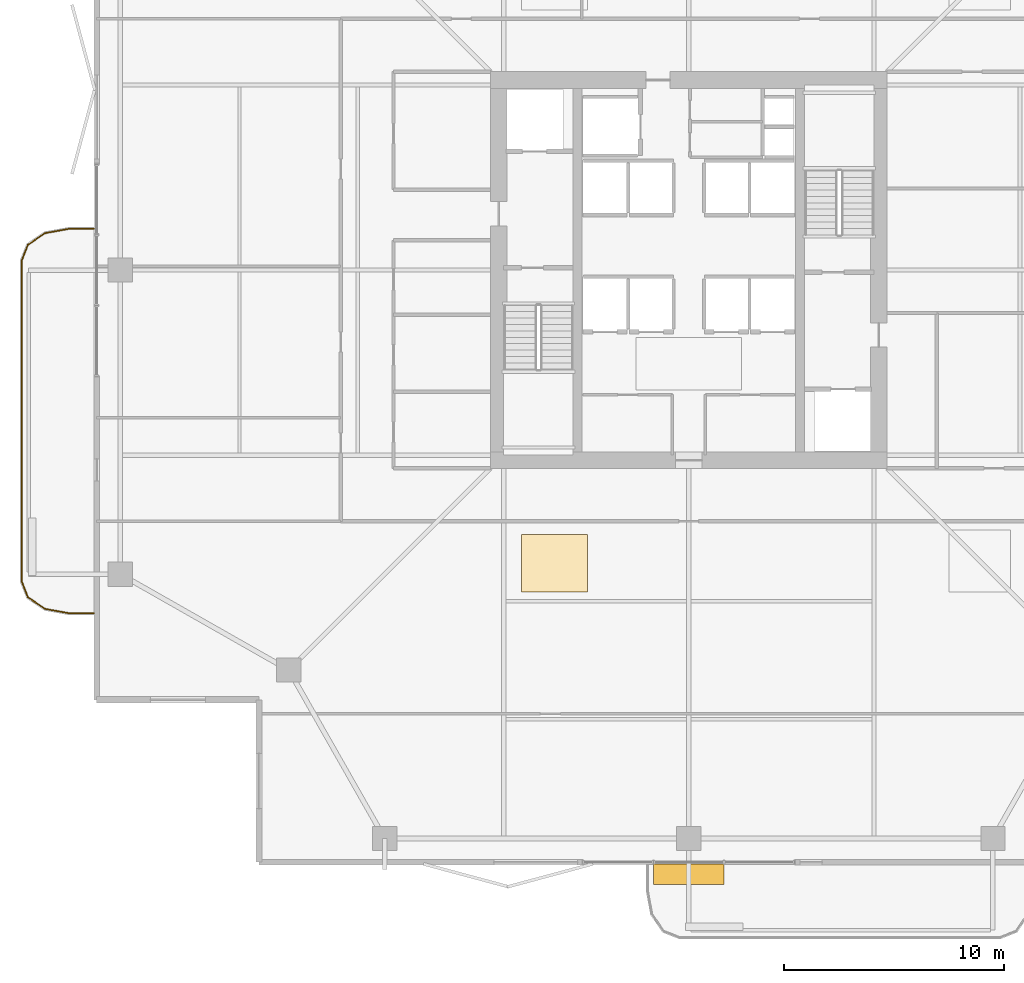
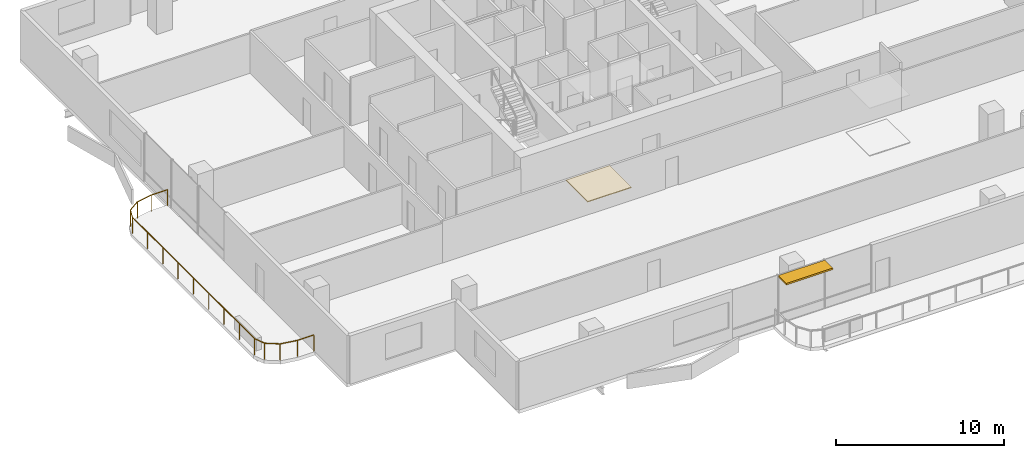
# One storey, part 21 of 24: 1 covering, 1 railing, 1 shading device.
"""IFC4 building model written with IfcOpenShell, lengths in metres."""

from ifc_helpers import new_model, si_unit, direction, frame, origin, origin_2d, place, context, subcontext, project, spatial, polyline, rectangle, outline, extrude, material, layer, layer_set, type_object, element, save


model = new_model("IFC4")

# Units and contexts
model_context = context("Model", 3, precision=1e-05, world=origin(), true_north=direction((0.0, 1.0)))
body_context = subcontext(model_context, "Body", "Model", "MODEL_VIEW")
ifc_project = project(units=[si_unit("LENGTHUNIT", "METRE"), si_unit("AREAUNIT", "SQUARE_METRE"), si_unit("VOLUMEUNIT", "CUBIC_METRE"), si_unit("PLANEANGLEUNIT", "RADIAN"), si_unit("MASSUNIT", "GRAM", prefix="KILO")], contexts=[model_context])

# Site, building, storey
site_placement = place(None, origin())
site = spatial("IfcSite", under=ifc_project, at=site_placement, CompositionType="ELEMENT")
building_placement = place(site_placement, origin())
building = spatial("IfcBuilding", under=site, at=building_placement, Name="Belovzor Exchange Tower", CompositionType="ELEMENT")
storey_placement = place(building_placement, frame((0.0, 0.0, 222.449951171875)))
storey = spatial("IfcBuildingStorey", under=building, at=storey_placement, Name="L55", CompositionType="ELEMENT", Elevation=222.449951171875)

# Railing
ifc_material_1 = material(Name="Stainless Steel and Laminated Safety Glass", Category="steel")
railing_type = type_object("IfcRailingType", Name="Laminated Glass & Stainless Steel Balcony Balustrade 1200", PredefinedType="BALUSTRADE", material=ifc_material_1)
railing_placement = place(storey_placement, frame((1.7900390625, 30.669921875, 0.0)))
element("IfcRailing", 1, at=railing_placement, inside=storey, type_object=railing_type, Name="GR-1 Balcony Balustrade L55 West", PredefinedType="BALUSTRADE", context=body_context, shape_type="SweptSolid", body=[
    extrude(rectangle(XDim=0.048095703125, YDim=0.048095703125, at=origin_2d()), frame((0.0, 0.0, 1.17578125), z_axis=(-1.0, 0.0, 0.0), x_axis=(0.0, -1.0, 0.0)), (0.0, 0.0, 1.0), 1.133056640625),
    extrude(rectangle(XDim=0.048095703125, YDim=0.048095703125, at=origin_2d()), frame((-1.133056640625, 0.0, 1.17578125), z_axis=(-0.983644145941, -0.180122719713, 0.0), x_axis=(0.180122719713, -0.983644145941, 0.0)), (0.0, 0.0, 1.0), 1.09375),
    extrude(rectangle(XDim=0.048095703125, YDim=0.048095703125, at=origin_2d()), frame((-2.208984375, -0.197021484375, 1.17578125), z_axis=(-0.826614792125, -0.562768145367, 0.0), x_axis=(0.562768145367, -0.826614792125, 0.0)), (0.0, 0.0, 1.0), 0.9326171875),
    extrude(rectangle(XDim=0.048095703125, YDim=0.048095703125, at=origin_2d()), frame((-2.97998046875, -0.721923828125, 1.17578125), z_axis=(-0.365612923861, -0.930766990125, 0.0), x_axis=(0.930766990125, -0.365612923861, 0.0)), (0.0, 0.0, 1.0), 0.765869140625),
    extrude(rectangle(XDim=0.048095703125, YDim=0.048095703125, at=origin_2d()), frame((-3.260009765625, -1.434814453125, 1.17578125), z_axis=(0.0, -1.0, 0.0), x_axis=(1.0, 0.0, 0.0)), (0.0, 0.0, 1.0), 14.570068359375),
    extrude(rectangle(XDim=0.048095703125, YDim=0.048095703125, at=origin_2d()), frame((-3.260009765625, -16.0048828125, 1.17578125), z_axis=(0.365504480807, -0.930809580156, 0.0), x_axis=(0.930809580156, 0.365504480807, 0.0)), (0.0, 0.0, 1.0), 0.76611328125),
    extrude(rectangle(XDim=0.048095703125, YDim=0.048095703125, at=origin_2d()), frame((-2.97998046875, -16.718017578125, 1.17578125), z_axis=(0.826614792125, -0.562768145367, 0.0), x_axis=(0.562768145367, 0.826614792125, 0.0)), (0.0, 0.0, 1.0), 0.9326171875),
    extrude(rectangle(XDim=0.048095703125, YDim=0.048095703125, at=origin_2d()), frame((-2.208984375, -17.242919921875, 1.17578125), z_axis=(0.983644145941, -0.180122719713, 0.0), x_axis=(0.180122719713, 0.983644145941, 0.0)), (0.0, 0.0, 1.0), 1.09375),
    extrude(rectangle(XDim=0.048095703125, YDim=0.048095703125, at=origin_2d()), frame((-1.133056640625, -17.43994140625, 1.17578125), z_axis=(1.0, 0.0, 0.0), x_axis=(0.0, 1.0, 0.0)), (0.0, 0.0, 1.0), 1.133056640625),
    extrude(rectangle(XDim=0.0419921875, YDim=0.0419921875, at=origin_2d()), origin(), (0.0, 0.0, 1.0), 1.15185546875),
    extrude(rectangle(XDim=0.0419921875, YDim=0.0419921875, at=origin_2d()), frame((-1.133056640625, 0.0, 0.0)), (0.0, 0.0, 1.0), 1.15185546875),
    extrude(rectangle(XDim=0.0419921875, YDim=0.0419921875, at=origin_2d()), frame((-2.208984375, -0.197021484375, 0.0)), (0.0, 0.0, 1.0), 1.15185546875),
    extrude(rectangle(XDim=0.0419921875, YDim=0.0419921875, at=origin_2d()), frame((-2.97998046875, -0.721923828125, 0.0)), (0.0, 0.0, 1.0), 1.15185546875),
    extrude(rectangle(XDim=0.0419921875, YDim=0.0419921875, at=origin_2d()), frame((-3.260009765625, -1.434814453125, 0.0)), (0.0, 0.0, 1.0), 1.15185546875),
    extrude(rectangle(XDim=0.0419921875, YDim=0.0419921875, at=origin_2d()), frame((-3.260009765625, -3.256103515625, 0.0)), (0.0, 0.0, 1.0), 1.15185546875),
    extrude(rectangle(XDim=0.0419921875, YDim=0.0419921875, at=origin_2d()), frame((-3.260009765625, -5.077392578125, 0.0)), (0.0, 0.0, 1.0), 1.15185546875),
    extrude(rectangle(XDim=0.0419921875, YDim=0.0419921875, at=origin_2d()), frame((-3.260009765625, -6.898681640625, 0.0)), (0.0, 0.0, 1.0), 1.15185546875),
    extrude(rectangle(XDim=0.0419921875, YDim=0.0419921875, at=origin_2d()), frame((-3.260009765625, -8.7197265625, 0.0)), (0.0, 0.0, 1.0), 1.15185546875),
    extrude(rectangle(XDim=0.0419921875, YDim=0.0419921875, at=origin_2d()), frame((-3.260009765625, -10.541015625, 0.0)), (0.0, 0.0, 1.0), 1.15185546875),
    extrude(rectangle(XDim=0.0419921875, YDim=0.0419921875, at=origin_2d()), frame((-3.260009765625, -12.3623046875, 0.0)), (0.0, 0.0, 1.0), 1.15185546875),
    extrude(rectangle(XDim=0.0419921875, YDim=0.0419921875, at=origin_2d()), frame((-3.260009765625, -14.18359375, 0.0)), (0.0, 0.0, 1.0), 1.15185546875),
    extrude(rectangle(XDim=0.0419921875, YDim=0.0419921875, at=origin_2d()), frame((-3.260009765625, -16.0048828125, 0.0)), (0.0, 0.0, 1.0), 1.15185546875),
    extrude(rectangle(XDim=0.0419921875, YDim=0.0419921875, at=origin_2d()), frame((-2.97998046875, -16.718017578125, 0.0)), (0.0, 0.0, 1.0), 1.15185546875),
    extrude(rectangle(XDim=0.0419921875, YDim=0.0419921875, at=origin_2d()), frame((-2.208984375, -17.242919921875, 0.0)), (0.0, 0.0, 1.0), 1.15185546875),
    extrude(rectangle(XDim=0.0419921875, YDim=0.0419921875, at=origin_2d()), frame((-1.133056640625, -17.43994140625, 0.0)), (0.0, 0.0, 1.0), 1.15185546875),
    extrude(rectangle(XDim=0.0419921875, YDim=0.0419921875, at=origin_2d()), frame((0.0, -17.43994140625, 0.0)), (0.0, 0.0, 1.0), 1.15185546875),
])

# Covering
ifc_material_2 = material(Name="Perforated Powder-Coated Aluminium", Category="aluminium")
ifc_layer_1 = layer(ifc_material_2, 0.06005859375)
ifc_layer_set_1 = layer_set([ifc_layer_1], Name="Perforated Powder-Coated Aluminium")
covering_type = type_object("IfcCoveringType", Name="Perforated Acoustic Metal Tile Suspended Ceiling 60", PredefinedType="CEILING", material=ifc_layer_set_1)
covering_placement = place(storey_placement, frame((0.0, 0.0, 3.43994140625)))
element("IfcCovering", 2, at=covering_placement, inside=storey, type_object=covering_type, Name="CLG-AC60 Suspended Ceiling CLG-L55-Z0", PredefinedType="CEILING", context=body_context, shape_type="SweptSolid", body=[
    extrude(outline(polyline([(21.199951171875, 14.199951171875), (24.199951171875, 14.199951171875), (24.199951171875, 16.800048828125), (21.199951171875, 16.800048828125), (21.199951171875, 14.199951171875)])), origin(), (0.0, 0.0, 1.0), 0.06005859375),
])

# Shading device
ifc_material_3 = material(Name="Extruded Architectural Terracotta", Category="masonry")
ifc_layer_2 = layer(ifc_material_3, 0.1201171875)
ifc_layer_set_2 = layer_set([ifc_layer_2], Name="Extruded Architectural Terracotta")
shading_device_type = type_object("IfcShadingDeviceType", Name="Streamline Terracotta Horizontal Sunshade Hood 950", PredefinedType="AWNING", material=ifc_layer_set_2)
shading_device_placement = place(storey_placement, frame((28.800048828125, 1.385009765625, 3.3798828125), z_axis=(0.0, 0.0, 1.0), x_axis=(1.0, 0.0, 0.0)))
element("IfcShadingDevice", 3, at=shading_device_placement, inside=storey, type_object=shading_device_type, Name="SHD-TC095 Terracotta Sunshade L55 S", PredefinedType="AWNING", context=body_context, shape_type="SweptSolid", body=[
    extrude(rectangle(XDim=3.199951171875, YDim=0.949951171875, at=origin_2d()), origin(), (0.0, 0.0, 1.0), 0.1201171875),
])

save(model, "model.ifc")
